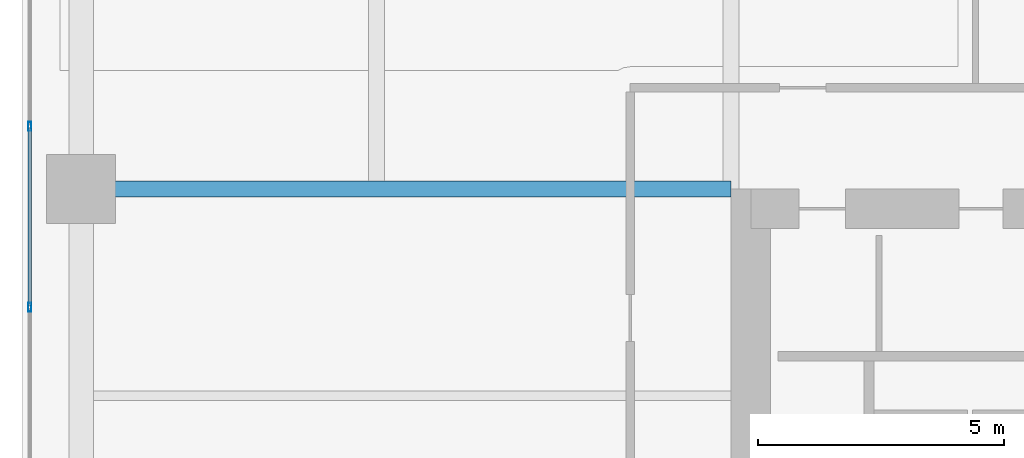
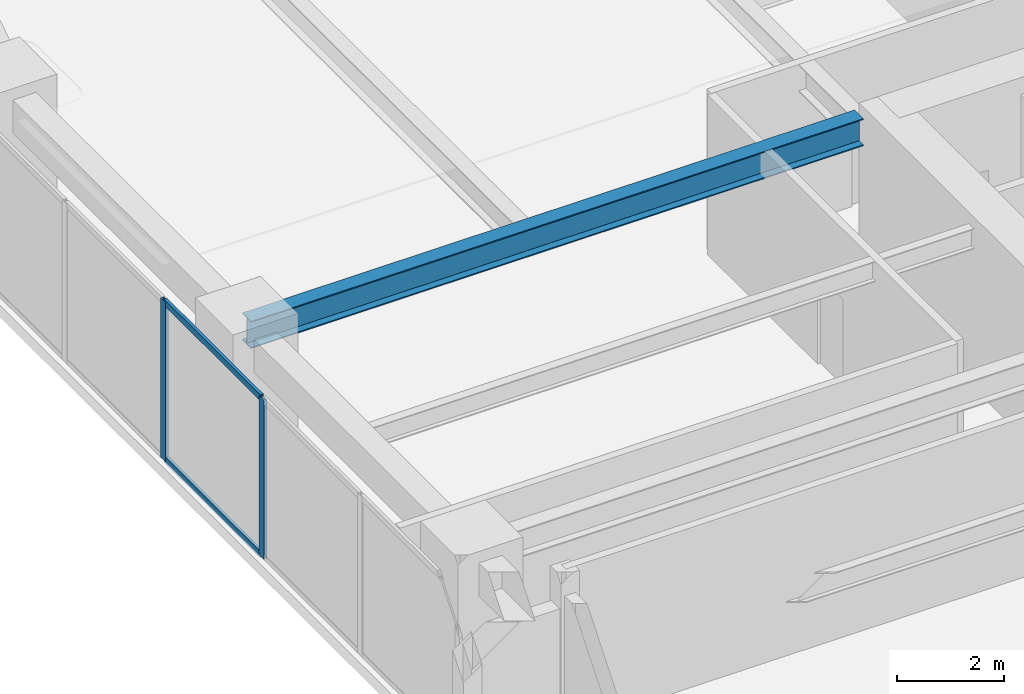
# One storey, part 8 of 24: 4 members, 1 beam, 1 element without a shape of its own.
"""IFC4 building model written with IfcOpenShell, lengths in metres."""

from ifc_helpers import new_model, si_unit, direction, frame, origin, origin_2d, place, context, subcontext, project, spatial, hollow_rectangle, i_section, extrude, material, layer, layer_set, material_profile, profile_set, type_object, element, aggregate, save


model = new_model("IFC4")

# Units and contexts
model_context = context("Model", 3, precision=1e-05, world=origin(), true_north=direction((0.0, 1.0)))
body_context = subcontext(model_context, "Body", "Model", "MODEL_VIEW")
ifc_project = project(units=[si_unit("LENGTHUNIT", "METRE"), si_unit("AREAUNIT", "SQUARE_METRE"), si_unit("VOLUMEUNIT", "CUBIC_METRE"), si_unit("PLANEANGLEUNIT", "RADIAN"), si_unit("MASSUNIT", "GRAM", prefix="KILO")], contexts=[model_context])

# Site, building, storey
site_placement = place(None, origin())
site = spatial("IfcSite", under=ifc_project, at=site_placement, CompositionType="ELEMENT")
building_placement = place(site_placement, origin())
building = spatial("IfcBuilding", under=site, at=building_placement, Name="Kiyonajd Concourse Tower", CompositionType="ELEMENT")
storey_placement = place(building_placement, frame((0.0, 0.0, 137.699951171875)))
storey = spatial("IfcBuildingStorey", under=building, at=storey_placement, Name="L35", CompositionType="ELEMENT", Elevation=137.699951171875)

# Beam
ifc_material_1 = material(Name="Steel ASTM A992 Grade 50", Category="steel")
ifc_material_profile_1 = material_profile(ifc_material_1, i_section(OverallWidth=0.326904296875, OverallDepth=0.6220703125, WebThickness=0.015380859375, FlangeThickness=0.0244140625, at=origin_2d()), Name="W610X195")
ifc_profile_set_1 = profile_set([ifc_material_profile_1], Name="Steel ASTM A992 Grade 50")
beam_type = type_object("IfcBeamType", Name="BM-TWR-610A", PredefinedType="BEAM", material=ifc_profile_set_1)
beam_placement = place(storey_placement, frame((19.199951171875, 44.39990234375, 3.3291015625), z_axis=(1.0, 0.0, 0.0), x_axis=(0.0, 1.0, 0.0)))
element("IfcBeam", 1, at=beam_placement, inside=storey, type_object=beam_type, Name="L35 West Lease Girder", PredefinedType="BEAM", context=body_context, shape_type="SweptSolid", body=[
    extrude(i_section(OverallWidth=0.326904296875, OverallDepth=0.6220703125, WebThickness=0.015380859375, FlangeThickness=0.0244140625, at=origin_2d()), origin(), (0.0, 0.0, 1.0), 13.199951171875),
])

# Curtain wall, members
ifc_material_2 = material(Name="Thermally Broken Anodised Aluminium", Category="aluminium")
ifc_layer = layer(ifc_material_2, 0.179931640625)
ifc_layer_set = layer_set([ifc_layer], Name="Thermally Broken Anodised Aluminium")
curtain_wall_type = type_object("IfcCurtainWallType", Name="CW-SYS-03", PredefinedType="NOTDEFINED", material=ifc_layer_set)
curtain_wall_placement = place(storey_placement, origin())
curtain_wall = element("IfcCurtainWall", 2, at=curtain_wall_placement, inside=storey, type_object=curtain_wall_type, Name="L35 Unitised Curtain Wall CW3", PredefinedType="NOTDEFINED")
ifc_material_profile_2 = material_profile(ifc_material_2, hollow_rectangle(XDim=0.06494140625, YDim=0.179931640625, WallThickness=0.00390625, at=origin_2d()), Name="MULL-65x180")
ifc_profile_set_2 = profile_set([ifc_material_profile_2], Name="Thermally Broken Anodised Aluminium")
member_type_1 = type_object("IfcMemberType", Name="MB-CW-MULL1", PredefinedType="MULLION", material=ifc_profile_set_2)
member_1_placement = place(storey_placement, frame((18.159912109375, 41.996337890625, 0.0), z_axis=(0.0, 0.0, 1.0), x_axis=(-1.0, 0.0, 0.0)))
member_1 = element("IfcMember", 3, at=member_1_placement, type_object=member_type_1, Name="CW3 mullion 3", PredefinedType="MULLION", context=body_context, shape_type="SweptSolid", body=[
    extrude(hollow_rectangle(XDim=0.06494140625, YDim=0.179931640625, WallThickness=0.00390625, at=origin_2d()), origin(), (0.0, 0.0, 1.0), 3.64013671875),
])
member_2_placement = place(storey_placement, frame((18.159912109375, 45.66943359375, 0.0), z_axis=(0.0, 0.0, 1.0), x_axis=(-1.0, 0.0, 0.0)))
member_2 = element("IfcMember", 4, at=member_2_placement, type_object=member_type_1, Name="CW3 mullion 4", PredefinedType="MULLION", context=body_context, shape_type="SweptSolid", body=[
    extrude(hollow_rectangle(XDim=0.06494140625, YDim=0.179931640625, WallThickness=0.00390625, at=origin_2d()), origin(), (0.0, 0.0, 1.0), 3.64013671875),
])
ifc_material_profile_3 = material_profile(ifc_material_2, hollow_rectangle(XDim=0.06494140625, YDim=0.139892578125, WallThickness=0.00390625, at=origin_2d()), Name="TRAN-65x140")
ifc_profile_set_3 = profile_set([ifc_material_profile_3], Name="Thermally Broken Anodised Aluminium")
member_type_2 = type_object("IfcMemberType", Name="MB-CW-TRAN1", PredefinedType="USERDEFINED", material=ifc_profile_set_3)
member_3_placement = place(storey_placement, frame((18.159912109375, 42.02880859375, 0.032470703125), z_axis=(0.0, 1.0, 0.0), x_axis=(-1.0, 0.0, 0.0)))
member_3 = element("IfcMember", 5, at=member_3_placement, type_object=member_type_2, Name="CW3 transom 3.1", ObjectType="TRANSOM", PredefinedType="USERDEFINED", context=body_context, shape_type="SweptSolid", body=[
    extrude(hollow_rectangle(XDim=0.06494140625, YDim=0.139892578125, WallThickness=0.00390625, at=origin_2d()), origin(), (0.0, 0.0, 1.0), 3.608154296875),
])
member_4_placement = place(storey_placement, frame((18.159912109375, 42.02880859375, 3.607666015625), z_axis=(0.0, 1.0, 0.0), x_axis=(-1.0, 0.0, 0.0)))
member_4 = element("IfcMember", 6, at=member_4_placement, type_object=member_type_2, Name="CW3 transom 3.2", ObjectType="TRANSOM", PredefinedType="USERDEFINED", context=body_context, shape_type="SweptSolid", body=[
    extrude(hollow_rectangle(XDim=0.06494140625, YDim=0.139892578125, WallThickness=0.00390625, at=origin_2d()), origin(), (0.0, 0.0, 1.0), 3.608154296875),
])
aggregate(curtain_wall, [member_1, member_2, member_3, member_4])

save(model, "model.ifc")
